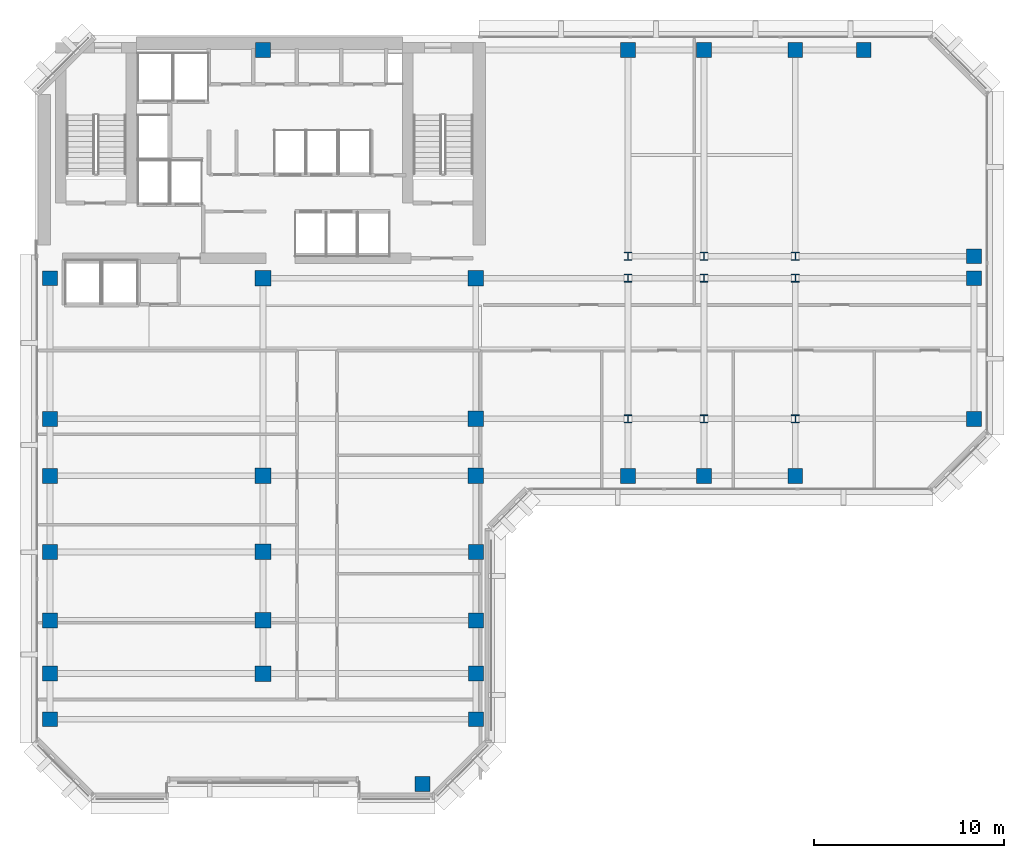
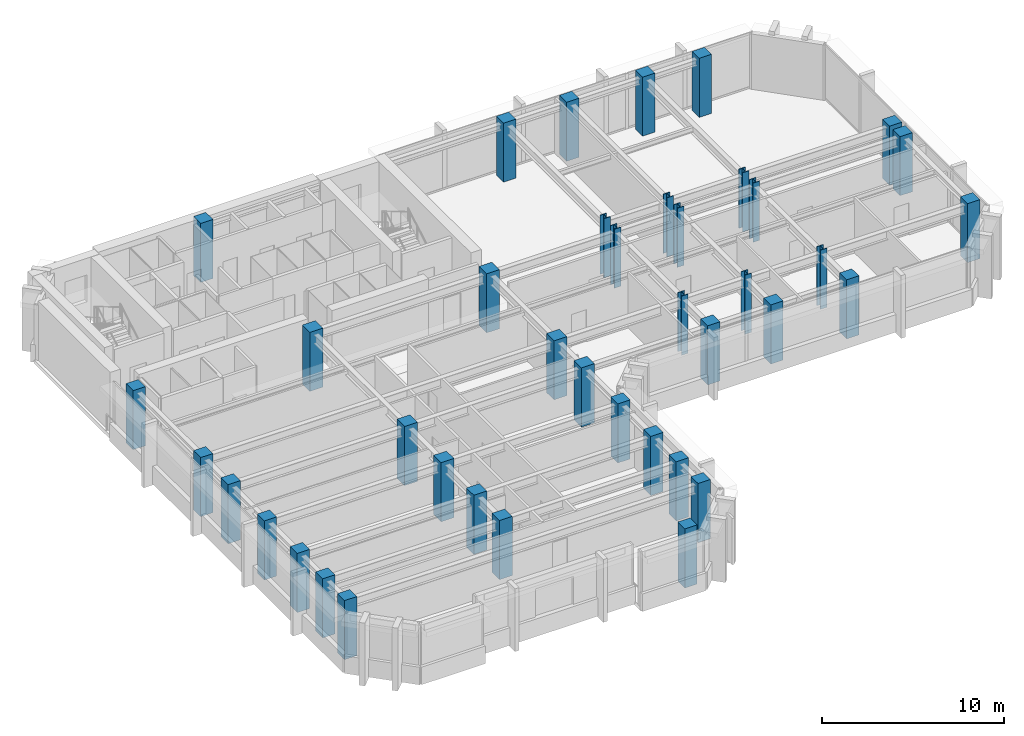
# One storey, part 1 of 12: 40 columns.
"""IFC4 building model written with IfcOpenShell, lengths in metres."""

from ifc_helpers import new_model, si_unit, direction, frame, origin, origin_2d, place, context, subcontext, project, spatial, rectangle, i_section, extrude, material, material_profile, profile_set, type_object, element, save


model = new_model("IFC4")

# Units and contexts
model_context = context("Model", 3, precision=1e-05, world=origin(), true_north=direction((0.0, 1.0)))
body_context = subcontext(model_context, "Body", "Model", "MODEL_VIEW")
ifc_project = project(units=[si_unit("LENGTHUNIT", "METRE"), si_unit("AREAUNIT", "SQUARE_METRE"), si_unit("VOLUMEUNIT", "CUBIC_METRE"), si_unit("PLANEANGLEUNIT", "RADIAN"), si_unit("MASSUNIT", "GRAM", prefix="KILO")], contexts=[model_context])

# Site, building, storey
site_placement = place(None, origin())
site = spatial("IfcSite", under=ifc_project, at=site_placement, CompositionType="ELEMENT")
building_placement = place(site_placement, origin())
building = spatial("IfcBuilding", under=site, at=building_placement, Name="Kefirva Bronze Tower", CompositionType="ELEMENT")
storey_placement = place(building_placement, frame((0.0, 0.0, 211.199951171875)))
storey = spatial("IfcBuildingStorey", under=building, at=storey_placement, Name="L51", CompositionType="ELEMENT", Elevation=211.199951171875)

# Columns
ifc_material_1 = material(Name="Concrete C50/60", Category="concrete")
ifc_material_profile_1 = material_profile(ifc_material_1, rectangle(XDim=0.780029296875, YDim=0.780029296875, at=origin_2d()), Name="RC 780x780")
ifc_profile_set_1 = profile_set([ifc_material_profile_1], Name="Concrete C50/60")
column_type_1 = type_object("IfcColumnType", Name="RC Column 780x780 Ext", PredefinedType="COLUMN", material=ifc_profile_set_1)
for number, where, z_axis, x_axis, name in (
    (1, (0.800048828125, 10.0, 0.0), (0.0, 0.0, 1.0), (1.0, 0.0, 0.0), "L51 Column C008_100"),
    (2, (0.800048828125, 12.39990234375, 0.0), (0.0, 0.0, 1.0), (1.0, 0.0, 0.0), "L51 Column C008_124"),
    (3, (0.800048828125, 15.199951171875, 0.0), (0.0, 0.0, 1.0), (1.0, 0.0, 0.0), "L51 Column C008_152"),
    (4, (0.800048828125, 18.800048828125, 0.0), (0.0, 0.0, 1.0), (1.0, 0.0, 0.0), "L51 Column C008_188"),
    (5, (0.800048828125, 22.800048828125, 0.0), (0.0, 0.0, 1.0), (1.0, 0.0, 0.0), "L51 Column C008_228"),
    (6, (0.800048828125, 25.800048828125, 0.0), (0.0, 0.0, 1.0), (1.0, 0.0, 0.0), "L51 Column C008_258"),
    (7, (0.800048828125, 33.199951171875, 0.0), (0.0, 0.0, 1.0), (1.0, 0.0, 0.0), "L51 Column C008_332"),
    (8, (12.0, 45.199951171875, 0.0), (0.0, 0.0, 1.0), (1.0, 0.0, 0.0), "L51 Column C120_452"),
    (9, (20.39990234375, 6.60009765625, 0.0), (0.0, 0.0, 1.0), (1.0, 0.0, 0.0), "L51 Column C204_066"),
    (10, (23.199951171875, 10.0, 0.0), (0.0, 0.0, 1.0), (1.0, 0.0, 0.0), "L51 Column C232_100"),
    (11, (23.199951171875, 12.39990234375, 0.0), (0.0, 0.0, 1.0), (1.0, 0.0, 0.0), "L51 Column C232_124"),
    (12, (23.199951171875, 15.199951171875, 0.0), (0.0, 0.0, 1.0), (1.0, 0.0, 0.0), "L51 Column C232_152"),
    (13, (23.199951171875, 18.800048828125, 0.0), (0.0, 0.0, 1.0), (1.0, 0.0, 0.0), "L51 Column C232_188"),
    (14, (31.199951171875, 22.800048828125, 0.0), (0.0, 0.0, 1.0), (1.0, 0.0, 0.0), "L51 Column C312_228"),
    (15, (31.199951171875, 45.199951171875, 0.0), (0.0, 0.0, 1.0), (1.0, 0.0, 0.0), "L51 Column C312_452"),
    (16, (35.199951171875, 22.800048828125, 0.0), (0.0, 0.0, 1.0), (1.0, 0.0, 0.0), "L51 Column C352_228"),
    (17, (35.199951171875, 45.199951171875, 0.0), (0.0, 0.0, 1.0), (1.0, 0.0, 0.0), "L51 Column C352_452"),
    (18, (40.0, 22.800048828125, 0.0), (0.0, 0.0, 1.0), (1.0, 0.0, 0.0), "L51 Column C400_228"),
    (19, (40.0, 45.199951171875, 0.0), (0.0, 0.0, 1.0), (1.0, 0.0, 0.0), "L51 Column C400_452"),
    (20, (43.60009765625, 45.199951171875, 0.0), (0.0, 0.0, 1.0), (1.0, 0.0, 0.0), "L51 Column C436_452"),
    (21, (49.39990234375, 25.800048828125, 0.0), (0.0, 0.0, 1.0), (1.0, 0.0, 0.0), "L51 Column C494_258"),
    (22, (49.39990234375, 33.199951171875, 0.0), (0.0, 0.0, 1.0), (1.0, 0.0, 0.0), "L51 Column C494_332"),
    (23, (49.39990234375, 34.35009765625, 0.0), (0.0, 0.0, 1.0), (1.0, 0.0, 0.0), "L51 Column C494_344"),
):
    element("IfcColumn", number, at=place(storey_placement, frame(where, z_axis=z_axis, x_axis=x_axis)), inside=storey, type_object=column_type_1, Name=name, PredefinedType="COLUMN", context=body_context, shape_type="SweptSolid", body=[
        extrude(rectangle(XDim=0.780029296875, YDim=0.780029296875, at=origin_2d()), origin(), (0.0, 0.0, 1.0), 3.9599609375),
    ])
ifc_material_profile_2 = material_profile(ifc_material_1, rectangle(XDim=0.820068359375, YDim=0.820068359375, at=origin_2d()), Name="RC 820x820")
ifc_profile_set_2 = profile_set([ifc_material_profile_2], Name="Concrete C50/60")
column_type_2 = type_object("IfcColumnType", Name="RC Column 820x820 Int", PredefinedType="COLUMN", material=ifc_profile_set_2)
for number, where, z_axis, x_axis, name in (
    (24, (12.0, 12.39990234375, 0.0), (0.0, 0.0, 1.0), (1.0, 0.0, 0.0), "L51 Column C120_124"),
    (25, (12.0, 15.199951171875, 0.0), (0.0, 0.0, 1.0), (1.0, 0.0, 0.0), "L51 Column C120_152"),
    (26, (12.0, 18.800048828125, 0.0), (0.0, 0.0, 1.0), (1.0, 0.0, 0.0), "L51 Column C120_188"),
    (27, (12.0, 22.800048828125, 0.0), (0.0, 0.0, 1.0), (1.0, 0.0, 0.0), "L51 Column C120_228"),
    (28, (12.0, 33.199951171875, 0.0), (0.0, 0.0, 1.0), (1.0, 0.0, 0.0), "L51 Column C120_332"),
    (29, (23.199951171875, 22.800048828125, 0.0), (0.0, 0.0, 1.0), (1.0, 0.0, 0.0), "L51 Column C232_228"),
    (30, (23.199951171875, 25.800048828125, 0.0), (0.0, 0.0, 1.0), (1.0, 0.0, 0.0), "L51 Column C232_258"),
    (31, (23.199951171875, 33.199951171875, 0.0), (0.0, 0.0, 1.0), (1.0, 0.0, 0.0), "L51 Column C232_332"),
):
    element("IfcColumn", number, at=place(storey_placement, frame(where, z_axis=z_axis, x_axis=x_axis)), inside=storey, type_object=column_type_2, Name=name, PredefinedType="COLUMN", context=body_context, shape_type="SweptSolid", body=[
        extrude(rectangle(XDim=0.820068359375, YDim=0.820068359375, at=origin_2d()), origin(), (0.0, 0.0, 1.0), 3.9599609375),
    ])
ifc_material_2 = material(Name="Steel S460", Category="steel")
ifc_material_profile_3 = material_profile(ifc_material_2, i_section(OverallWidth=0.412109375, OverallDepth=0.43505859375, WebThickness=0.027099609375, FlangeThickness=0.04296875, at=origin_2d()), Name="HD 400x463")
ifc_profile_set_3 = profile_set([ifc_material_profile_3], Name="Steel S460")
column_type_3 = type_object("IfcColumnType", Name="Steel Column HD 400x463", PredefinedType="COLUMN", material=ifc_profile_set_3)
for number, where, z_axis, x_axis, name in (
    (32, (31.199951171875, 25.800048828125, 0.0), (0.0, 0.0, 1.0), (1.0, 0.0, 0.0), "L51 Column C312_258"),
    (33, (31.199951171875, 33.199951171875, 0.0), (0.0, 0.0, 1.0), (1.0, 0.0, 0.0), "L51 Column C312_332"),
    (34, (31.199951171875, 34.35009765625, 0.0), (0.0, 0.0, 1.0), (1.0, 0.0, 0.0), "L51 Column C312_344"),
    (35, (35.199951171875, 25.800048828125, 0.0), (0.0, 0.0, 1.0), (1.0, 0.0, 0.0), "L51 Column C352_258"),
    (36, (35.199951171875, 33.199951171875, 0.0), (0.0, 0.0, 1.0), (1.0, 0.0, 0.0), "L51 Column C352_332"),
    (37, (35.199951171875, 34.35009765625, 0.0), (0.0, 0.0, 1.0), (1.0, 0.0, 0.0), "L51 Column C352_344"),
    (38, (40.0, 25.800048828125, 0.0), (0.0, 0.0, 1.0), (1.0, 0.0, 0.0), "L51 Column C400_258"),
    (39, (40.0, 33.199951171875, 0.0), (0.0, 0.0, 1.0), (1.0, 0.0, 0.0), "L51 Column C400_332"),
    (40, (40.0, 34.35009765625, 0.0), (0.0, 0.0, 1.0), (1.0, 0.0, 0.0), "L51 Column C400_344"),
):
    element("IfcColumn", number, at=place(storey_placement, frame(where, z_axis=z_axis, x_axis=x_axis)), inside=storey, type_object=column_type_3, Name=name, PredefinedType="COLUMN", context=body_context, shape_type="SweptSolid", body=[
        extrude(i_section(OverallWidth=0.412109375, OverallDepth=0.43505859375, WebThickness=0.027099609375, FlangeThickness=0.04296875, at=origin_2d()), origin(), (0.0, 0.0, 1.0), 3.9599609375),
    ])

save(model, "model.ifc")
